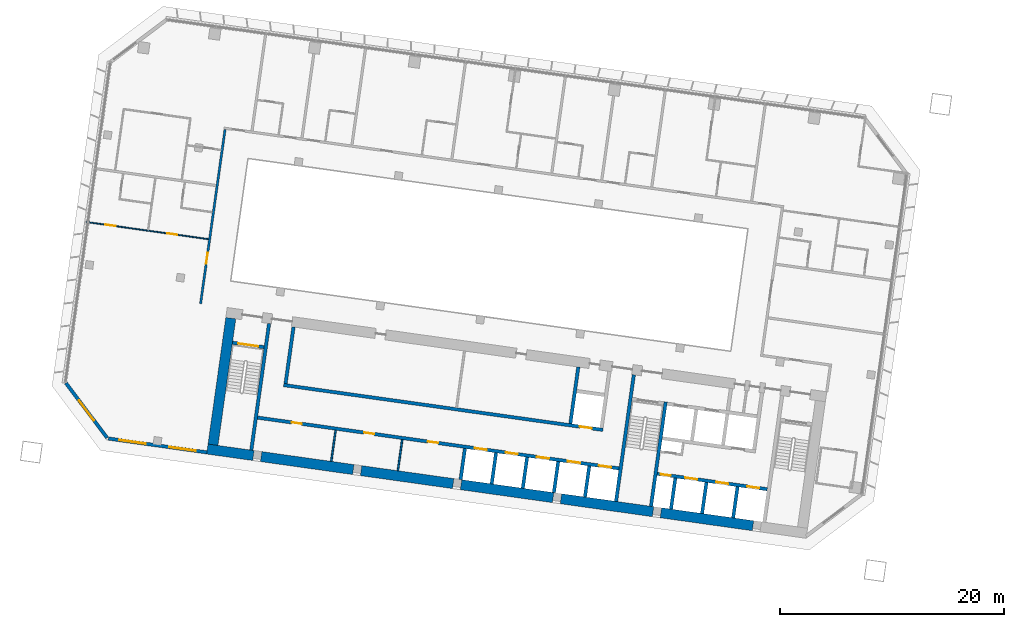
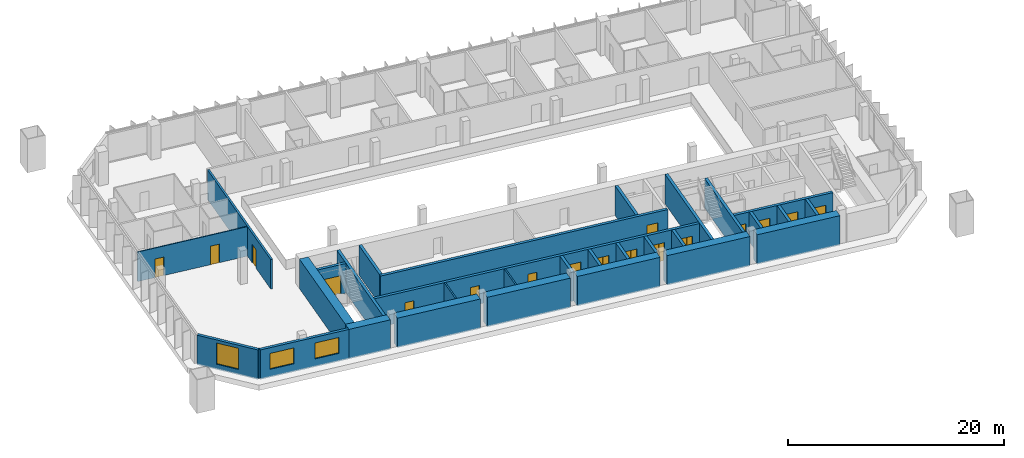
# One storey, part 14 of 24: 30 walls, 17 doors, 3 windows, 20 openings.
"""IFC4 building model written with IfcOpenShell, lengths in metres."""

from ifc_helpers import new_model, si_unit, direction, frame, frame_2d, origin, place, context, subcontext, project, spatial, rectangle, extrude, material, layer, layer_set, type_object, element, fill, save


model = new_model("IFC4")

# Units and contexts
model_context = context("Model", 3, precision=1e-05, world=origin(), true_north=direction((0.0, 1.0)))
body_context = subcontext(model_context, "Body", "Model", "MODEL_VIEW")
ifc_project = project(units=[si_unit("LENGTHUNIT", "METRE"), si_unit("AREAUNIT", "SQUARE_METRE"), si_unit("VOLUMEUNIT", "CUBIC_METRE"), si_unit("PLANEANGLEUNIT", "RADIAN"), si_unit("MASSUNIT", "GRAM", prefix="KILO")], contexts=[model_context])

# Site, building, storey
site_placement = place(None, origin())
site = spatial("IfcSite", under=ifc_project, at=site_placement, CompositionType="ELEMENT")
building_placement = place(site_placement, origin())
building = spatial("IfcBuilding", under=site, at=building_placement, Name="Mirante Cascada Hotel Towers", CompositionType="ELEMENT")
storey_placement = place(building_placement, frame((0.0, 0.0, 85.1)))
storey = spatial("IfcBuildingStorey", under=building, at=storey_placement, Name="L18", CompositionType="ELEMENT", Elevation=85.1)

# Wall, opening, door
ifc_material_1 = material(Name="Fire-rated plasterboard on metal studs")
ifc_layer_1 = layer(ifc_material_1, 0.2)
ifc_layer_set_1 = layer_set([ifc_layer_1], Name="Compartment wall 200 EI 120")
wall_type_1 = type_object("IfcWallType", Name="Compartment wall 200 EI 120", PredefinedType="PARTITIONING", material=ifc_layer_set_1)
wall_1_placement = place(storey_placement, frame((-91.1145, 0.7321, 0.0), z_axis=(0.0, 0.0, 1.0), x_axis=(0.1391721, 0.9902682, 0.0)))
wall_1 = element("IfcWall", 1, at=wall_1_placement, inside=storey, type_object=wall_type_1, Name="Wall 1-L18-49", PredefinedType="PARTITIONING", context=body_context, shape_type="SweptSolid", body=[
    extrude(rectangle(XDim=15.7, YDim=0.2, at=frame_2d((7.85, 0.0))), origin(), (0.0, 0.0, 1.0), 3.35),
])
opening_1_placement = place(wall_1_placement, frame((3.6, 0.0, 0.0)))
opening_1 = element("IfcOpeningElement", 2, at=opening_1_placement, cuts=wall_1, Name="Opening D1-L18-31", PredefinedType="OPENING", context=body_context, shape_type="SweptSolid", body=[
    extrude(rectangle(XDim=1.0, YDim=2.1, at=frame_2d((0.5, 1.05))), frame((0.0, 0.1, 0.0), z_axis=(0.0, -1.0, 0.0), x_axis=(1.0, 0.0, 0.0)), (0.0, 0.0, 1.0), 0.2),
])
ifc_material_2 = material(Name="Fire-rated timber door leaf", Category="wood")
door_type_1 = type_object("IfcDoorType", Name="Entrance door DG1 1000x2100 EI 60", OperationType="SINGLE_SWING_LEFT", PredefinedType="DOOR", material=ifc_material_2)
door_1_placement = place(opening_1_placement, origin())
door_1 = element("IfcDoor", 3, at=door_1_placement, inside=storey, type_object=door_type_1, Name="Door D1-L18-31", OperationType="SINGLE_SWING_LEFT", OverallHeight=2.1, OverallWidth=1.0, PredefinedType="DOOR", context=body_context, shape_type="SweptSolid", body=[
    extrude(rectangle(XDim=1.0, YDim=2.1, at=frame_2d((0.5, 1.05))), frame((0.0, 0.025, 0.0), z_axis=(0.0, -1.0, 0.0), x_axis=(1.0, 0.0, 0.0)), (0.0, 0.0, 1.0), 0.05),
])
fill(opening_1, door_1)

# Walls
ifc_material_3 = material(Name="Masonry block", Category="masonry")
ifc_layer_2 = layer(ifc_material_3, 0.15)
ifc_layer_set_2 = layer_set([ifc_layer_2], Name="Core room partition 150 block EI 30")
wall_type_2 = type_object("IfcWallType", Name="Core room partition 150 block EI 30", PredefinedType="PARTITIONING", material=ifc_layer_set_2)
wall_2_placement = place(storey_placement, frame((-73.5161, -14.1621, 0.0), z_axis=(0.0, 0.0, 1.0), x_axis=(0.139176, 0.9902677, 0.0)))
element("IfcWall", 4, at=wall_2_placement, inside=storey, type_object=wall_type_2, Name="Core wall partition T1 L18 5", PredefinedType="PARTITIONING", context=body_context, shape_type="SweptSolid", body=[
    extrude(rectangle(XDim=2.8001, YDim=0.15, at=frame_2d((1.4, 0.0))), origin(), (0.0, 0.0, 1.0), 3.35),
])
wall_3_placement = place(storey_placement, frame((-79.4577, -13.327, 0.0), z_axis=(0.0, 0.0, 1.0), x_axis=(0.1391459, 0.9902719, 0.0)))
element("IfcWall", 5, at=wall_3_placement, inside=storey, type_object=wall_type_2, Name="Core wall partition T1 L18 6", PredefinedType="PARTITIONING", context=body_context, shape_type="SweptSolid", body=[
    extrude(rectangle(XDim=2.7999, YDim=0.15, at=frame_2d((1.4, 0.0))), origin(), (0.0, 0.0, 1.0), 3.35),
])

# Wall, openings, doors
ifc_material_4 = material(Name="Plasterboard on metal studs")
ifc_layer_3 = layer(ifc_material_4, 0.1)
ifc_layer_set_3 = layer_set([ifc_layer_3], Name="Partition 100")
wall_type_3 = type_object("IfcWallType", Name="Partition 100", PredefinedType="PARTITIONING", material=ifc_layer_set_3)
wall_4_placement = place(storey_placement, frame((-90.4064, 6.4896, 0.0), z_axis=(0.0, 0.0, 1.0), x_axis=(-0.990268, 0.1391733, 0.0)))
wall_4 = element("IfcWall", 6, at=wall_4_placement, inside=storey, type_object=wall_type_3, Name="Wall 1-L18-05", PredefinedType="PARTITIONING", context=body_context, shape_type="SweptSolid", body=[
    extrude(rectangle(XDim=11.0, YDim=0.1, at=frame_2d((5.5, 0.0))), origin(), (0.0, 0.0, 1.0), 3.35),
])
opening_2_placement = place(wall_4_placement, frame((2.825, 0.0, 0.0)))
opening_2 = element("IfcOpeningElement", 7, at=opening_2_placement, cuts=wall_4, Name="Opening D1-L18-03", PredefinedType="OPENING", context=body_context, shape_type="SweptSolid", body=[
    extrude(rectangle(XDim=0.9, YDim=2.1, at=frame_2d((0.45, 1.05))), frame((0.0, 0.05, 0.0), z_axis=(0.0, -1.0, 0.0), x_axis=(1.0, 0.0, 0.0)), (0.0, 0.0, 1.0), 0.1),
])
opening_3_placement = place(wall_4_placement, frame((8.375, 0.0, 0.0)))
opening_3 = element("IfcOpeningElement", 8, at=opening_3_placement, cuts=wall_4, Name="Opening D1-L18-04", PredefinedType="OPENING", context=body_context, shape_type="SweptSolid", body=[
    extrude(rectangle(XDim=0.9, YDim=2.1, at=frame_2d((0.45, 1.05))), frame((0.0, 0.05, 0.0), z_axis=(0.0, -1.0, 0.0), x_axis=(1.0, 0.0, 0.0)), (0.0, 0.0, 1.0), 0.1),
])
ifc_material_5 = material(Name="Timber door leaf", Category="wood")
door_type_2 = type_object("IfcDoorType", Name="Room door DG3 900x2100", OperationType="SINGLE_SWING_LEFT", PredefinedType="DOOR", material=ifc_material_5)
door_2_placement = place(opening_2_placement, origin())
door_2 = element("IfcDoor", 9, at=door_2_placement, inside=storey, type_object=door_type_2, Name="Door D1-L18-03", OperationType="SINGLE_SWING_LEFT", OverallHeight=2.1, OverallWidth=0.9, PredefinedType="DOOR", context=body_context, shape_type="SweptSolid", body=[
    extrude(rectangle(XDim=0.9, YDim=2.1, at=frame_2d((0.45, 1.05))), frame((0.0, 0.025, 0.0), z_axis=(0.0, -1.0, 0.0), x_axis=(1.0, 0.0, 0.0)), (0.0, 0.0, 1.0), 0.05),
])
fill(opening_2, door_2)
door_3_placement = place(opening_3_placement, origin())
door_3 = element("IfcDoor", 10, at=door_3_placement, inside=storey, type_object=door_type_2, Name="Door D1-L18-04", OperationType="SINGLE_SWING_LEFT", OverallHeight=2.1, OverallWidth=0.9, PredefinedType="DOOR", context=body_context, shape_type="SweptSolid", body=[
    extrude(rectangle(XDim=0.9, YDim=2.1, at=frame_2d((0.45, 1.05))), frame((0.0, 0.025, 0.0), z_axis=(0.0, -1.0, 0.0), x_axis=(1.0, 0.0, 0.0)), (0.0, 0.0, 1.0), 0.05),
])
fill(opening_3, door_3)

# Wall, openings, windows
ifc_material_6 = material(Name="Precast concrete C40/50", Category="concrete")
ifc_layer_4 = layer(ifc_material_6, 0.3)
ifc_layer_set_4 = layer_set([ifc_layer_4], Name="Precast concrete C40/50 cladding wall 300")
wall_type_4 = type_object("IfcWallType", Name="Precast concrete C40/50 cladding wall 300", PredefinedType="STANDARD", material=ifc_layer_set_4)
wall_5_placement = place(storey_placement, frame((-90.5541, -12.5249, 0.0), z_axis=(0.0, 0.0, 1.0), x_axis=(-0.9902676, 0.1391765, 0.0)))
wall_5 = element("IfcWall", 11, at=wall_5_placement, inside=storey, type_object=wall_type_4, Name="Rear cladding wall T1 L18 1", PredefinedType="STANDARD", context=body_context, shape_type="SweptSolid", body=[
    extrude(rectangle(XDim=8.8758, YDim=0.3, at=frame_2d((4.4379, 0.0))), origin(), (0.0, 0.0, 1.0), 3.35),
])
opening_4_placement = place(wall_5_placement, frame((1.0012, 0.0, 0.9)))
opening_4 = element("IfcOpeningElement", 12, at=opening_4_placement, cuts=wall_5, Name="Opening W1-18-01", PredefinedType="OPENING", context=body_context, shape_type="SweptSolid", body=[
    extrude(rectangle(XDim=2.4, YDim=1.8, at=frame_2d((1.2, 0.9))), frame((0.0, 0.15, 0.0), z_axis=(0.0, -1.0, 0.0), x_axis=(1.0, 0.0, 0.0)), (0.0, 0.0, 1.0), 0.3),
])
opening_5_placement = place(wall_5_placement, frame((5.4923, 0.0, 0.9)))
opening_5 = element("IfcOpeningElement", 13, at=opening_5_placement, cuts=wall_5, Name="Opening W1-18-02", PredefinedType="OPENING", context=body_context, shape_type="SweptSolid", body=[
    extrude(rectangle(XDim=2.4, YDim=1.8, at=frame_2d((1.2, 0.9))), frame((0.0, 0.15, 0.0), z_axis=(0.0, -1.0, 0.0), x_axis=(1.0, 0.0, 0.0)), (0.0, 0.0, 1.0), 0.3),
])
ifc_material_7 = material(Name="Aluminium frame with clear double glazing", Category="aluminium")
window_type_1 = type_object("IfcWindowType", Name="Punched window 2400x1800", PartitioningType="DOUBLE_PANEL_VERTICAL", PredefinedType="WINDOW", material=ifc_material_7)
window_1_placement = place(opening_4_placement, origin())
window_1 = element("IfcWindow", 14, at=window_1_placement, inside=storey, type_object=window_type_1, Name="Window W1-18-01", OverallHeight=1.8, OverallWidth=2.4, PartitioningType="SINGLE_PANEL", PredefinedType="WINDOW", context=body_context, shape_type="SweptSolid", body=[
    extrude(rectangle(XDim=2.4, YDim=1.8, at=frame_2d((1.2, 0.9))), frame((0.0, 0.03, 0.0), z_axis=(0.0, -1.0, 0.0), x_axis=(1.0, 0.0, 0.0)), (0.0, 0.0, 1.0), 0.06),
])
fill(opening_4, window_1)
window_2_placement = place(opening_5_placement, origin())
window_2 = element("IfcWindow", 15, at=window_2_placement, inside=storey, type_object=window_type_1, Name="Window W1-18-02", OverallHeight=1.8, OverallWidth=2.4, PartitioningType="SINGLE_PANEL", PredefinedType="WINDOW", context=body_context, shape_type="SweptSolid", body=[
    extrude(rectangle(XDim=2.4, YDim=1.8, at=frame_2d((1.2, 0.9))), frame((0.0, 0.03, 0.0), z_axis=(0.0, -1.0, 0.0), x_axis=(1.0, 0.0, 0.0)), (0.0, 0.0, 1.0), 0.06),
])
fill(opening_5, window_2)

# Wall, opening, window
wall_6_placement = place(storey_placement, frame((-99.4424, -11.2313, 0.0), z_axis=(0.0, 0.0, 1.0), x_axis=(-0.6018194, 0.7986322, 0.0)))
wall_6 = element("IfcWall", 16, at=wall_6_placement, inside=storey, type_object=wall_type_4, Name="Corner cladding wall T1 L18 rear outer", PredefinedType="STANDARD", context=body_context, shape_type="SweptSolid", body=[
    extrude(rectangle(XDim=6.1155, YDim=0.3, at=frame_2d((3.0578, 0.0))), origin(), (0.0, 0.0, 1.0), 3.35),
])
opening_6_placement = place(wall_6_placement, frame((1.9576, 0.0, 0.6)))
opening_6 = element("IfcOpeningElement", 17, at=opening_6_placement, cuts=wall_6, Name="Opening W1-18-03", PredefinedType="OPENING", context=body_context, shape_type="SweptSolid", body=[
    extrude(rectangle(XDim=2.2, YDim=2.4, at=frame_2d((1.1, 1.2))), frame((0.0, 0.15, 0.0), z_axis=(0.0, -1.0, 0.0), x_axis=(1.0, 0.0, 0.0)), (0.0, 0.0, 1.0), 0.3),
])
ifc_material_8 = material(Name="Aluminium frame with clear double glazing", Category="aluminium")
window_type_2 = type_object("IfcWindowType", Name="Corner suite window 2200x2400", PartitioningType="DOUBLE_PANEL_VERTICAL", PredefinedType="WINDOW", material=ifc_material_8)
window_3_placement = place(opening_6_placement, origin())
window_3 = element("IfcWindow", 18, at=window_3_placement, inside=storey, type_object=window_type_2, Name="Window W1-18-03", OverallHeight=2.4, OverallWidth=2.2, PartitioningType="SINGLE_PANEL", PredefinedType="WINDOW", context=body_context, shape_type="SweptSolid", body=[
    extrude(rectangle(XDim=2.2, YDim=2.4, at=frame_2d((1.1, 1.2))), frame((0.0, 0.03, 0.0), z_axis=(0.0, -1.0, 0.0), x_axis=(1.0, 0.0, 0.0)), (0.0, 0.0, 1.0), 0.06),
])
fill(opening_6, window_3)

# Walls
ifc_material_9 = material(Name="Concrete C50/60", Category="concrete")
ifc_layer_5 = layer(ifc_material_9, 0.3)
ifc_layer_set_5 = layer_set([ifc_layer_5], Name="RC core wall 300 C50/60")
wall_type_5 = type_object("IfcWallType", Name="RC core wall 300 C50/60", PredefinedType="SHEAR", material=ifc_layer_set_5)
wall_7_placement = place(storey_placement, frame((-50.938, -17.3352, 0.0), z_axis=(0.0, 0.0, 1.0), x_axis=(0.1391706, 0.9902684, 0.0)))
element("IfcWall", 19, at=wall_7_placement, inside=storey, type_object=wall_type_5, Name="Core wall T1:L18:6", PredefinedType="SHEAR", context=body_context, shape_type="SweptSolid", body=[
    extrude(rectangle(XDim=9.4, YDim=0.3, at=frame_2d((4.7, 0.0))), origin(), (0.0, 0.0, 1.0), 3.35),
])
wall_8_placement = place(storey_placement, frame((-54.0574, -16.8968, 0.0), z_axis=(0.0, 0.0, 1.0), x_axis=(0.1391761, 0.9902677, 0.0)))
element("IfcWall", 20, at=wall_8_placement, inside=storey, type_object=wall_type_5, Name="Core wall T1:L18:7", PredefinedType="SHEAR", context=body_context, shape_type="SweptSolid", body=[
    extrude(rectangle(XDim=11.3999, YDim=0.3, at=frame_2d((5.7, 0.0))), origin(), (0.0, 0.0, 1.0), 3.35),
])
wall_9_placement = place(storey_placement, frame((-86.5877, -12.325, 0.0), z_axis=(0.0, 0.0, 1.0), x_axis=(0.1391749, 0.9902678, 0.0)))
element("IfcWall", 21, at=wall_9_placement, inside=storey, type_object=wall_type_5, Name="Core wall T1:L18:8", PredefinedType="SHEAR", context=body_context, shape_type="SweptSolid", body=[
    extrude(rectangle(XDim=11.4, YDim=0.3, at=frame_2d((5.7, 0.0))), origin(), (0.0, 0.0, 1.0), 3.35),
])

# Wall, opening, door
wall_10_placement = place(storey_placement, frame((-85.4489, -3.1441, 0.0), z_axis=(0.0, 0.0, 1.0), x_axis=(-0.9902697, 0.1391613, 0.0)))
wall_10 = element("IfcWall", 22, at=wall_10_placement, inside=storey, type_object=wall_type_5, Name="Core wall T1:L18:11", PredefinedType="SHEAR", context=body_context, shape_type="SweptSolid", body=[
    extrude(rectangle(XDim=2.8499, YDim=0.3, at=frame_2d((1.425, 0.0))), origin(), (0.0, 0.0, 1.0), 3.35),
])
opening_7_placement = place(wall_10_placement, frame((0.525, 0.0, 0.0)))
opening_7 = element("IfcOpeningElement", 23, at=opening_7_placement, cuts=wall_10, Name="Opening D1-18-C17", PredefinedType="OPENING", context=body_context, shape_type="SweptSolid", body=[
    extrude(rectangle(XDim=1.8, YDim=2.1, at=frame_2d((0.9, 1.05))), frame((0.0, 0.15, 0.0), z_axis=(0.0, -1.0, 0.0), x_axis=(1.0, 0.0, 0.0)), (0.0, 0.0, 1.0), 0.3),
])
ifc_material_10 = material(Name="Hollow metal fire door leaf")
door_type_3 = type_object("IfcDoorType", Name="Double fire door 1800x2100 FD60", OperationType="DOUBLE_DOOR_SINGLE_SWING", PredefinedType="DOOR", material=ifc_material_10)
door_4_placement = place(opening_7_placement, origin())
door_4 = element("IfcDoor", 24, at=door_4_placement, inside=storey, type_object=door_type_3, Name="Stair door T1 L18 17", OperationType="DOUBLE_DOOR_SINGLE_SWING", OverallHeight=2.1, OverallWidth=1.8, PredefinedType="DOOR", context=body_context, shape_type="SweptSolid", body=[
    extrude(rectangle(XDim=0.895, YDim=2.1, at=frame_2d((0.4475, 1.05))), frame((0.0, 0.025, 0.0), z_axis=(0.0, -1.0, 0.0), x_axis=(1.0, 0.0, 0.0)), (0.0, 0.0, 1.0), 0.05),
    extrude(rectangle(XDim=0.895, YDim=2.1, at=frame_2d((1.3525, 1.05))), frame((0.0, 0.025, 0.0), z_axis=(0.0, -1.0, 0.0), x_axis=(1.0, 0.0, 0.0)), (0.0, 0.0, 1.0), 0.05),
])
fill(opening_7, door_4)

# Wall, openings, doors
wall_11_placement = place(storey_placement, frame((-40.5753, -15.8126, 0.0), z_axis=(0.0, 0.0, 1.0), x_axis=(-0.9902682, 0.1391725, 0.0)))
wall_11 = element("IfcWall", 25, at=wall_11_placement, inside=storey, type_object=wall_type_5, Name="Core wall T1:L18:12", PredefinedType="SHEAR", context=body_context, shape_type="SweptSolid", body=[
    extrude(rectangle(XDim=9.8999, YDim=0.3, at=frame_2d((4.95, 0.0))), origin(), (0.0, 0.0, 1.0), 3.35),
])
opening_8_placement = place(wall_11_placement, frame((0.7, 0.0, 0.0)))
opening_8 = element("IfcOpeningElement", 26, at=opening_8_placement, cuts=wall_11, Name="Opening LD", PredefinedType="OPENING", context=body_context, shape_type="SweptSolid", body=[
    extrude(rectangle(XDim=1.1, YDim=2.1, at=frame_2d((0.55, 1.05))), frame((0.0, 0.15, 0.0), z_axis=(0.0, -1.0, 0.0), x_axis=(1.0, 0.0, 0.0)), (0.0, 0.0, 1.0), 0.3),
])
opening_9_placement = place(wall_11_placement, frame((3.5, 0.0, 0.0)))
opening_9 = element("IfcOpeningElement", 27, at=opening_9_placement, cuts=wall_11, Name="Opening LD", PredefinedType="OPENING", context=body_context, shape_type="SweptSolid", body=[
    extrude(rectangle(XDim=1.1, YDim=2.1, at=frame_2d((0.55, 1.05))), frame((0.0, 0.15, 0.0), z_axis=(0.0, -1.0, 0.0), x_axis=(1.0, 0.0, 0.0)), (0.0, 0.0, 1.0), 0.3),
])
opening_10_placement = place(wall_11_placement, frame((6.3, 0.0, 0.0)))
opening_10 = element("IfcOpeningElement", 28, at=opening_10_placement, cuts=wall_11, Name="Opening LD", PredefinedType="OPENING", context=body_context, shape_type="SweptSolid", body=[
    extrude(rectangle(XDim=1.1, YDim=2.1, at=frame_2d((0.55, 1.05))), frame((0.0, 0.15, 0.0), z_axis=(0.0, -1.0, 0.0), x_axis=(1.0, 0.0, 0.0)), (0.0, 0.0, 1.0), 0.3),
])
opening_11_placement = place(wall_11_placement, frame((8.7, 0.0, 0.0)))
opening_11 = element("IfcOpeningElement", 29, at=opening_11_placement, cuts=wall_11, Name="Opening D1-18-C22", PredefinedType="OPENING", context=body_context, shape_type="SweptSolid", body=[
    extrude(rectangle(XDim=0.9, YDim=2.1, at=frame_2d((0.45, 1.05))), frame((0.0, 0.15, 0.0), z_axis=(0.0, -1.0, 0.0), x_axis=(1.0, 0.0, 0.0)), (0.0, 0.0, 1.0), 0.3),
])
ifc_material_11 = material(Name="Hollow metal fire door leaf")
door_type_4 = type_object("IfcDoorType", Name="Fire door 900x2100 FD60", OperationType="NOTDEFINED", PredefinedType="DOOR", material=ifc_material_11)
door_5_placement = place(opening_11_placement, origin())
door_5 = element("IfcDoor", 30, at=door_5_placement, inside=storey, type_object=door_type_4, Name="Riser door T1 L18 22", OperationType="SINGLE_SWING_LEFT", OverallHeight=2.1, OverallWidth=0.9, PredefinedType="DOOR", context=body_context, shape_type="SweptSolid", body=[
    extrude(rectangle(XDim=0.9, YDim=2.1, at=frame_2d((0.45, 1.05))), frame((0.0, 0.025, 0.0), z_axis=(0.0, -1.0, 0.0), x_axis=(1.0, 0.0, 0.0)), (0.0, 0.0, 1.0), 0.05),
])
fill(opening_11, door_5)
ifc_material_12 = material(Name="Stainless steel", Category="steel")
door_type_5 = type_object("IfcDoorType", Name="Lift landing door 1100x2100 EI 120", OperationType="DOUBLE_DOOR_SLIDING", PredefinedType="DOOR", material=ifc_material_12)
door_6_placement = place(opening_8_placement, origin())
door_6 = element("IfcDoor", 31, at=door_6_placement, inside=storey, type_object=door_type_5, Name="Lift landing door HR1-1 L18", OperationType="DOUBLE_DOOR_SLIDING", OverallHeight=2.1, OverallWidth=1.1, PredefinedType="DOOR", context=body_context, shape_type="SweptSolid", body=[
    extrude(rectangle(XDim=0.545, YDim=2.1, at=frame_2d((0.2725, 1.05))), frame((0.0, 0.025, 0.0), z_axis=(0.0, -1.0, 0.0), x_axis=(1.0, 0.0, 0.0)), (0.0, 0.0, 1.0), 0.05),
    extrude(rectangle(XDim=0.545, YDim=2.1, at=frame_2d((0.8275, 1.05))), frame((0.0, 0.025, 0.0), z_axis=(0.0, -1.0, 0.0), x_axis=(1.0, 0.0, 0.0)), (0.0, 0.0, 1.0), 0.05),
])
fill(opening_8, door_6)
door_7_placement = place(opening_9_placement, origin())
door_7 = element("IfcDoor", 32, at=door_7_placement, inside=storey, type_object=door_type_5, Name="Lift landing door HR1-2 L18", OperationType="DOUBLE_DOOR_SLIDING", OverallHeight=2.1, OverallWidth=1.1, PredefinedType="DOOR", context=body_context, shape_type="SweptSolid", body=[
    extrude(rectangle(XDim=0.545, YDim=2.1, at=frame_2d((0.2725, 1.05))), frame((0.0, 0.025, 0.0), z_axis=(0.0, -1.0, 0.0), x_axis=(1.0, 0.0, 0.0)), (0.0, 0.0, 1.0), 0.05),
    extrude(rectangle(XDim=0.545, YDim=2.1, at=frame_2d((0.8275, 1.05))), frame((0.0, 0.025, 0.0), z_axis=(0.0, -1.0, 0.0), x_axis=(1.0, 0.0, 0.0)), (0.0, 0.0, 1.0), 0.05),
])
fill(opening_9, door_7)
door_8_placement = place(opening_10_placement, origin())
door_8 = element("IfcDoor", 33, at=door_8_placement, inside=storey, type_object=door_type_5, Name="Lift landing door HR1-3 L18", OperationType="DOUBLE_DOOR_SLIDING", OverallHeight=2.1, OverallWidth=1.1, PredefinedType="DOOR", context=body_context, shape_type="SweptSolid", body=[
    extrude(rectangle(XDim=0.545, YDim=2.1, at=frame_2d((0.2725, 1.05))), frame((0.0, 0.025, 0.0), z_axis=(0.0, -1.0, 0.0), x_axis=(1.0, 0.0, 0.0)), (0.0, 0.0, 1.0), 0.05),
    extrude(rectangle(XDim=0.545, YDim=2.1, at=frame_2d((0.8275, 1.05))), frame((0.0, 0.025, 0.0), z_axis=(0.0, -1.0, 0.0), x_axis=(1.0, 0.0, 0.0)), (0.0, 0.0, 1.0), 0.05),
])
fill(opening_10, door_8)

# Walls
wall_12_placement = place(storey_placement, frame((-43.61, -18.3651, 0.0), z_axis=(0.0, 0.0, 1.0), x_axis=(0.1391459, 0.9902719, 0.0)))
element("IfcWall", 34, at=wall_12_placement, inside=storey, type_object=wall_type_5, Name="Core wall T1:L18:15", PredefinedType="SHEAR", context=body_context, shape_type="SweptSolid", body=[
    extrude(rectangle(XDim=2.7999, YDim=0.3, at=frame_2d((1.4, 0.0))), origin(), (0.0, 0.0, 1.0), 3.35),
])
wall_13_placement = place(storey_placement, frame((-46.3828, -17.9754, 0.0), z_axis=(0.0, 0.0, 1.0), x_axis=(0.139181, 0.990267, 0.0)))
element("IfcWall", 35, at=wall_13_placement, inside=storey, type_object=wall_type_5, Name="Core wall T1:L18:16", PredefinedType="SHEAR", context=body_context, shape_type="SweptSolid", body=[
    extrude(rectangle(XDim=2.8, YDim=0.3, at=frame_2d((1.4, 0.0))), origin(), (0.0, 0.0, 1.0), 3.35),
])
wall_14_placement = place(storey_placement, frame((-49.1555, -17.5857, 0.0), z_axis=(0.0, 0.0, 1.0), x_axis=(0.1391459, 0.9902719, 0.0)))
element("IfcWall", 36, at=wall_14_placement, inside=storey, type_object=wall_type_5, Name="Core wall T1:L18:17", PredefinedType="SHEAR", context=body_context, shape_type="SweptSolid", body=[
    extrude(rectangle(XDim=2.7999, YDim=0.3, at=frame_2d((1.4, 0.0))), origin(), (0.0, 0.0, 1.0), 3.35),
])

# Wall, openings, doors
wall_15_placement = place(storey_placement, frame((-53.7953, -13.9547, 0.0), z_axis=(0.0, 0.0, 1.0), x_axis=(-0.990268, 0.1391733, 0.0)))
wall_15 = element("IfcWall", 37, at=wall_15_placement, inside=storey, type_object=wall_type_5, Name="Core wall T1:L18:25", PredefinedType="SHEAR", context=body_context, shape_type="SweptSolid", body=[
    extrude(rectangle(XDim=32.5501, YDim=0.3, at=frame_2d((16.275, 0.0))), origin(), (0.0, 0.0, 1.0), 3.35),
])
opening_12_placement = place(wall_15_placement, frame((0.7, 0.0, 0.0)))
opening_12 = element("IfcOpeningElement", 38, at=opening_12_placement, cuts=wall_15, Name="Opening LD", PredefinedType="OPENING", context=body_context, shape_type="SweptSolid", body=[
    extrude(rectangle(XDim=1.1, YDim=2.1, at=frame_2d((0.55, 1.05))), frame((0.0, 0.15, 0.0), z_axis=(0.0, -1.0, 0.0), x_axis=(1.0, 0.0, 0.0)), (0.0, 0.0, 1.0), 0.3),
])
opening_13_placement = place(wall_15_placement, frame((3.5, 0.0, 0.0)))
opening_13 = element("IfcOpeningElement", 39, at=opening_13_placement, cuts=wall_15, Name="Opening LD", PredefinedType="OPENING", context=body_context, shape_type="SweptSolid", body=[
    extrude(rectangle(XDim=1.1, YDim=2.1, at=frame_2d((0.55, 1.05))), frame((0.0, 0.15, 0.0), z_axis=(0.0, -1.0, 0.0), x_axis=(1.0, 0.0, 0.0)), (0.0, 0.0, 1.0), 0.3),
])
opening_14_placement = place(wall_15_placement, frame((6.3, 0.0, 0.0)))
opening_14 = element("IfcOpeningElement", 40, at=opening_14_placement, cuts=wall_15, Name="Opening LD", PredefinedType="OPENING", context=body_context, shape_type="SweptSolid", body=[
    extrude(rectangle(XDim=1.1, YDim=2.1, at=frame_2d((0.55, 1.05))), frame((0.0, 0.15, 0.0), z_axis=(0.0, -1.0, 0.0), x_axis=(1.0, 0.0, 0.0)), (0.0, 0.0, 1.0), 0.3),
])
opening_15_placement = place(wall_15_placement, frame((9.1, 0.0, 0.0)))
opening_15 = element("IfcOpeningElement", 41, at=opening_15_placement, cuts=wall_15, Name="Opening LD", PredefinedType="OPENING", context=body_context, shape_type="SweptSolid", body=[
    extrude(rectangle(XDim=1.1, YDim=2.1, at=frame_2d((0.55, 1.05))), frame((0.0, 0.15, 0.0), z_axis=(0.0, -1.0, 0.0), x_axis=(1.0, 0.0, 0.0)), (0.0, 0.0, 1.0), 0.3),
])
opening_16_placement = place(wall_15_placement, frame((11.9, 0.0, 0.0)))
opening_16 = element("IfcOpeningElement", 42, at=opening_16_placement, cuts=wall_15, Name="Opening LD", PredefinedType="OPENING", context=body_context, shape_type="SweptSolid", body=[
    extrude(rectangle(XDim=1.1, YDim=2.1, at=frame_2d((0.55, 1.05))), frame((0.0, 0.15, 0.0), z_axis=(0.0, -1.0, 0.0), x_axis=(1.0, 0.0, 0.0)), (0.0, 0.0, 1.0), 0.3),
])
opening_17_placement = place(wall_15_placement, frame((16.3, 0.0, 0.0)))
opening_17 = element("IfcOpeningElement", 43, at=opening_17_placement, cuts=wall_15, Name="Opening D1-18-C26", PredefinedType="OPENING", context=body_context, shape_type="SweptSolid", body=[
    extrude(rectangle(XDim=0.9, YDim=2.1, at=frame_2d((0.45, 1.05))), frame((0.0, 0.15, 0.0), z_axis=(0.0, -1.0, 0.0), x_axis=(1.0, 0.0, 0.0)), (0.0, 0.0, 1.0), 0.3),
])
opening_18_placement = place(wall_15_placement, frame((22.05, 0.0, 0.0)))
opening_18 = element("IfcOpeningElement", 44, at=opening_18_placement, cuts=wall_15, Name="Opening D1-18-C27", PredefinedType="OPENING", context=body_context, shape_type="SweptSolid", body=[
    extrude(rectangle(XDim=0.9, YDim=2.1, at=frame_2d((0.45, 1.05))), frame((0.0, 0.15, 0.0), z_axis=(0.0, -1.0, 0.0), x_axis=(1.0, 0.0, 0.0)), (0.0, 0.0, 1.0), 0.3),
])
opening_19_placement = place(wall_15_placement, frame((28.575, 0.0, 0.0)))
opening_19 = element("IfcOpeningElement", 45, at=opening_19_placement, cuts=wall_15, Name="Opening D1-18-C28", PredefinedType="OPENING", context=body_context, shape_type="SweptSolid", body=[
    extrude(rectangle(XDim=0.9, YDim=2.1, at=frame_2d((0.45, 1.05))), frame((0.0, 0.15, 0.0), z_axis=(0.0, -1.0, 0.0), x_axis=(1.0, 0.0, 0.0)), (0.0, 0.0, 1.0), 0.3),
])
door_9_placement = place(opening_17_placement, origin())
door_9 = element("IfcDoor", 46, at=door_9_placement, inside=storey, type_object=door_type_4, Name="Room door T1 L18 26", OperationType="SINGLE_SWING_RIGHT", OverallHeight=2.1, OverallWidth=0.9, PredefinedType="DOOR", context=body_context, shape_type="SweptSolid", body=[
    extrude(rectangle(XDim=0.9, YDim=2.1, at=frame_2d((0.45, 1.05))), frame((0.0, 0.025, 0.0), z_axis=(0.0, -1.0, 0.0), x_axis=(1.0, 0.0, 0.0)), (0.0, 0.0, 1.0), 0.05),
])
fill(opening_17, door_9)
door_10_placement = place(opening_18_placement, origin())
door_10 = element("IfcDoor", 47, at=door_10_placement, inside=storey, type_object=door_type_4, Name="Room door T1 L18 27", OperationType="SINGLE_SWING_LEFT", OverallHeight=2.1, OverallWidth=0.9, PredefinedType="DOOR", context=body_context, shape_type="SweptSolid", body=[
    extrude(rectangle(XDim=0.9, YDim=2.1, at=frame_2d((0.45, 1.05))), frame((0.0, 0.025, 0.0), z_axis=(0.0, -1.0, 0.0), x_axis=(1.0, 0.0, 0.0)), (0.0, 0.0, 1.0), 0.05),
])
fill(opening_18, door_10)
door_11_placement = place(opening_19_placement, origin())
door_11 = element("IfcDoor", 48, at=door_11_placement, inside=storey, type_object=door_type_4, Name="Room door T1 L18 28", OperationType="SINGLE_SWING_LEFT", OverallHeight=2.1, OverallWidth=0.9, PredefinedType="DOOR", context=body_context, shape_type="SweptSolid", body=[
    extrude(rectangle(XDim=0.9, YDim=2.1, at=frame_2d((0.45, 1.05))), frame((0.0, 0.025, 0.0), z_axis=(0.0, -1.0, 0.0), x_axis=(1.0, 0.0, 0.0)), (0.0, 0.0, 1.0), 0.05),
])
fill(opening_19, door_11)
door_12_placement = place(opening_12_placement, origin())
door_12 = element("IfcDoor", 49, at=door_12_placement, inside=storey, type_object=door_type_5, Name="Lift landing door LR1-1 L18", OperationType="DOUBLE_DOOR_SLIDING", OverallHeight=2.1, OverallWidth=1.1, PredefinedType="DOOR", context=body_context, shape_type="SweptSolid", body=[
    extrude(rectangle(XDim=0.545, YDim=2.1, at=frame_2d((0.2725, 1.05))), frame((0.0, 0.025, 0.0), z_axis=(0.0, -1.0, 0.0), x_axis=(1.0, 0.0, 0.0)), (0.0, 0.0, 1.0), 0.05),
    extrude(rectangle(XDim=0.545, YDim=2.1, at=frame_2d((0.8275, 1.05))), frame((0.0, 0.025, 0.0), z_axis=(0.0, -1.0, 0.0), x_axis=(1.0, 0.0, 0.0)), (0.0, 0.0, 1.0), 0.05),
])
fill(opening_12, door_12)
door_13_placement = place(opening_13_placement, origin())
door_13 = element("IfcDoor", 50, at=door_13_placement, inside=storey, type_object=door_type_5, Name="Lift landing door LR1-2 L18", OperationType="DOUBLE_DOOR_SLIDING", OverallHeight=2.1, OverallWidth=1.1, PredefinedType="DOOR", context=body_context, shape_type="SweptSolid", body=[
    extrude(rectangle(XDim=0.545, YDim=2.1, at=frame_2d((0.2725, 1.05))), frame((0.0, 0.025, 0.0), z_axis=(0.0, -1.0, 0.0), x_axis=(1.0, 0.0, 0.0)), (0.0, 0.0, 1.0), 0.05),
    extrude(rectangle(XDim=0.545, YDim=2.1, at=frame_2d((0.8275, 1.05))), frame((0.0, 0.025, 0.0), z_axis=(0.0, -1.0, 0.0), x_axis=(1.0, 0.0, 0.0)), (0.0, 0.0, 1.0), 0.05),
])
fill(opening_13, door_13)
door_14_placement = place(opening_14_placement, origin())
door_14 = element("IfcDoor", 51, at=door_14_placement, inside=storey, type_object=door_type_5, Name="Lift landing door SV1-1 L18", OperationType="DOUBLE_DOOR_SLIDING", OverallHeight=2.1, OverallWidth=1.1, PredefinedType="DOOR", context=body_context, shape_type="SweptSolid", body=[
    extrude(rectangle(XDim=0.545, YDim=2.1, at=frame_2d((0.2725, 1.05))), frame((0.0, 0.025, 0.0), z_axis=(0.0, -1.0, 0.0), x_axis=(1.0, 0.0, 0.0)), (0.0, 0.0, 1.0), 0.05),
    extrude(rectangle(XDim=0.545, YDim=2.1, at=frame_2d((0.8275, 1.05))), frame((0.0, 0.025, 0.0), z_axis=(0.0, -1.0, 0.0), x_axis=(1.0, 0.0, 0.0)), (0.0, 0.0, 1.0), 0.05),
])
fill(opening_14, door_14)
door_15_placement = place(opening_15_placement, origin())
door_15 = element("IfcDoor", 52, at=door_15_placement, inside=storey, type_object=door_type_5, Name="Lift landing door SV1-2 L18", OperationType="DOUBLE_DOOR_SLIDING", OverallHeight=2.1, OverallWidth=1.1, PredefinedType="DOOR", context=body_context, shape_type="SweptSolid", body=[
    extrude(rectangle(XDim=0.545, YDim=2.1, at=frame_2d((0.2725, 1.05))), frame((0.0, 0.025, 0.0), z_axis=(0.0, -1.0, 0.0), x_axis=(1.0, 0.0, 0.0)), (0.0, 0.0, 1.0), 0.05),
    extrude(rectangle(XDim=0.545, YDim=2.1, at=frame_2d((0.8275, 1.05))), frame((0.0, 0.025, 0.0), z_axis=(0.0, -1.0, 0.0), x_axis=(1.0, 0.0, 0.0)), (0.0, 0.0, 1.0), 0.05),
])
fill(opening_15, door_15)
door_16_placement = place(opening_16_placement, origin())
door_16 = element("IfcDoor", 53, at=door_16_placement, inside=storey, type_object=door_type_5, Name="Lift landing door SV1-3 L18", OperationType="DOUBLE_DOOR_SLIDING", OverallHeight=2.1, OverallWidth=1.1, PredefinedType="DOOR", context=body_context, shape_type="SweptSolid", body=[
    extrude(rectangle(XDim=0.545, YDim=2.1, at=frame_2d((0.2725, 1.05))), frame((0.0, 0.025, 0.0), z_axis=(0.0, -1.0, 0.0), x_axis=(1.0, 0.0, 0.0)), (0.0, 0.0, 1.0), 0.05),
    extrude(rectangle(XDim=0.545, YDim=2.1, at=frame_2d((0.8275, 1.05))), frame((0.0, 0.025, 0.0), z_axis=(0.0, -1.0, 0.0), x_axis=(1.0, 0.0, 0.0)), (0.0, 0.0, 1.0), 0.05),
])
fill(opening_16, door_16)

# Walls
for number, where, z_axis, x_axis, name in (
    (54, (-56.8301, -16.5072, 0.0), (0.0, 0.0, 1.0), (0.139176, 0.9902677, 0.0), "Core wall T1:L18:26"),
    (55, (-59.6029, -16.1175, 0.0), (0.0, 0.0, 1.0), (0.139176, 0.9902677, 0.0), "Core wall T1:L18:27"),
    (56, (-62.3756, -15.7278, 0.0), (0.0, 0.0, 1.0), (0.139176, 0.9902677, 0.0), "Core wall T1:L18:28"),
    (57, (-65.1484, -15.3381, 0.0), (0.0, 0.0, 1.0), (0.139176, 0.9902677, 0.0), "Core wall T1:L18:29"),
):
    element("IfcWall", number, at=place(storey_placement, frame(where, z_axis=z_axis, x_axis=x_axis)), inside=storey, type_object=wall_type_5, Name=name, PredefinedType="SHEAR", context=body_context, shape_type="SweptSolid", body=[
        extrude(rectangle(XDim=2.8001, YDim=0.3, at=frame_2d((1.4, 0.0))), origin(), (0.0, 0.0, 1.0), 3.35),
    ])
wall_16_placement = place(storey_placement, frame((-67.9211, -14.9484, 0.0), z_axis=(0.0, 0.0, 1.0), x_axis=(0.139181, 0.990267, 0.0)))
element("IfcWall", 58, at=wall_16_placement, inside=storey, type_object=wall_type_5, Name="Core wall T1:L18:30", PredefinedType="SHEAR", context=body_context, shape_type="SweptSolid", body=[
    extrude(rectangle(XDim=2.8, YDim=0.3, at=frame_2d((1.4, 0.0))), origin(), (0.0, 0.0, 1.0), 3.35),
])

# Wall, opening, door
wall_17_placement = place(storey_placement, frame((-55.2315, -10.5214, 0.0), z_axis=(0.0, 0.0, 1.0), x_axis=(-0.9902682, 0.1391722, 0.0)))
wall_17 = element("IfcWall", 59, at=wall_17_placement, inside=storey, type_object=wall_type_5, Name="Core wall T1:L18:33", PredefinedType="SHEAR", context=body_context, shape_type="SweptSolid", body=[
    extrude(rectangle(XDim=28.75, YDim=0.3, at=frame_2d((14.375, 0.0))), origin(), (0.0, 0.0, 1.0), 3.35),
])
opening_20_placement = place(wall_17_placement, frame((1.0, 0.0, 0.0)))
opening_20 = element("IfcOpeningElement", 60, at=opening_20_placement, cuts=wall_17, Name="Opening LD", PredefinedType="OPENING", context=body_context, shape_type="SweptSolid", body=[
    extrude(rectangle(XDim=1.1, YDim=2.1, at=frame_2d((0.55, 1.05))), frame((0.0, 0.15, 0.0), z_axis=(0.0, -1.0, 0.0), x_axis=(1.0, 0.0, 0.0)), (0.0, 0.0, 1.0), 0.3),
])
door_17_placement = place(opening_20_placement, origin())
door_17 = element("IfcDoor", 61, at=door_17_placement, inside=storey, type_object=door_type_5, Name="Lift landing door LR1-3 L18", OperationType="DOUBLE_DOOR_SLIDING", OverallHeight=2.1, OverallWidth=1.1, PredefinedType="DOOR", context=body_context, shape_type="SweptSolid", body=[
    extrude(rectangle(XDim=0.545, YDim=2.1, at=frame_2d((0.2725, 1.05))), frame((0.0, 0.025, 0.0), z_axis=(0.0, -1.0, 0.0), x_axis=(1.0, 0.0, 0.0)), (0.0, 0.0, 1.0), 0.05),
    extrude(rectangle(XDim=0.545, YDim=2.1, at=frame_2d((0.8275, 1.05))), frame((0.0, 0.025, 0.0), z_axis=(0.0, -1.0, 0.0), x_axis=(1.0, 0.0, 0.0)), (0.0, 0.0, 1.0), 0.05),
])
fill(opening_20, door_17)

# Walls
for number, where, z_axis, x_axis, name in (
    (62, (-83.5323, -6.3925, 0.0), (0.0, 0.0, 1.0), (0.1391755, 0.9902677, 0.0), "Core wall T1:L18:35"),
    (63, (-58.1319, -9.9623, 0.0), (0.0, 0.0, 1.0), (0.1391755, 0.9902677, 0.0), "Core wall T1:L18:36"),
):
    element("IfcWall", number, at=place(storey_placement, frame(where, z_axis=z_axis, x_axis=x_axis)), inside=storey, type_object=wall_type_5, Name=name, PredefinedType="SHEAR", context=body_context, shape_type="SweptSolid", body=[
        extrude(rectangle(XDim=5.1, YDim=0.3, at=frame_2d((2.55, 0.0))), origin(), (0.0, 0.0, 1.0), 3.35),
    ])
ifc_material_13 = material(Name="Concrete C50/60", Category="concrete")
ifc_layer_6 = layer(ifc_material_13, 0.9)
ifc_layer_set_6 = layer_set([ifc_layer_6], Name="RC core wall 900 C50/60")
wall_type_6 = type_object("IfcWallType", Name="RC core wall 900 C50/60", PredefinedType="SHEAR", material=ifc_layer_set_6)
for number, where, z_axis, x_axis, name in (
    (64, (-41.8407, -19.0682, 0.0), (0.0, 0.0, 1.0), (-0.9902686, 0.1391692, 0.0), "Core wall T1:L18:1.2"),
    (65, (-50.7531, -17.8156, 0.0), (0.0, 0.0, 1.0), (-0.9902686, 0.1391692, 0.0), "Core wall T1:L18:1.3"),
    (66, (-59.6655, -16.5631, 0.0), (0.0, 0.0, 1.0), (-0.9902686, 0.1391692, 0.0), "Core wall T1:L18:1.4"),
    (67, (-68.5779, -15.3105, 0.0), (0.0, 0.0, 1.0), (-0.9902686, 0.1391692, 0.0), "Core wall T1:L18:1.5"),
    (68, (-77.4903, -14.058, 0.0), (0.0, 0.0, 1.0), (-0.990267, 0.139181, 0.0), "Core wall T1:L18:1.6"),
):
    element("IfcWall", number, at=place(storey_placement, frame(where, z_axis=z_axis, x_axis=x_axis)), inside=storey, type_object=wall_type_6, Name=name, PredefinedType="SHEAR", context=body_context, shape_type="SweptSolid", body=[
        extrude(rectangle(XDim=8.3, YDim=0.9, at=frame_2d((4.15, 0.0))), origin(), (0.0, 0.0, 1.0), 3.35),
    ])
wall_18_placement = place(storey_placement, frame((-86.4027, -12.8054, 0.0), z_axis=(0.0, 0.0, 1.0), x_axis=(-0.990267, 0.139181, 0.0)))
element("IfcWall", 69, at=wall_18_placement, inside=storey, type_object=wall_type_6, Name="Core wall T1:L18:1.7", PredefinedType="SHEAR", context=body_context, shape_type="SweptSolid", body=[
    extrude(rectangle(XDim=4.15, YDim=0.9, at=frame_2d((2.075, 0.0))), origin(), (0.0, 0.0, 1.0), 3.35),
])
wall_19_placement = place(storey_placement, frame((-90.0041, -11.8449, 0.0), z_axis=(0.0, 0.0, 1.0), x_axis=(0.1391749, 0.9902678, 0.0)))
element("IfcWall", 70, at=wall_19_placement, inside=storey, type_object=wall_type_6, Name="Core wall T1:L18:4", PredefinedType="SHEAR", context=body_context, shape_type="SweptSolid", body=[
    extrude(rectangle(XDim=11.4, YDim=0.9, at=frame_2d((5.7, 0.0))), origin(), (0.0, 0.0, 1.0), 3.35),
])

save(model, "model.ifc")
